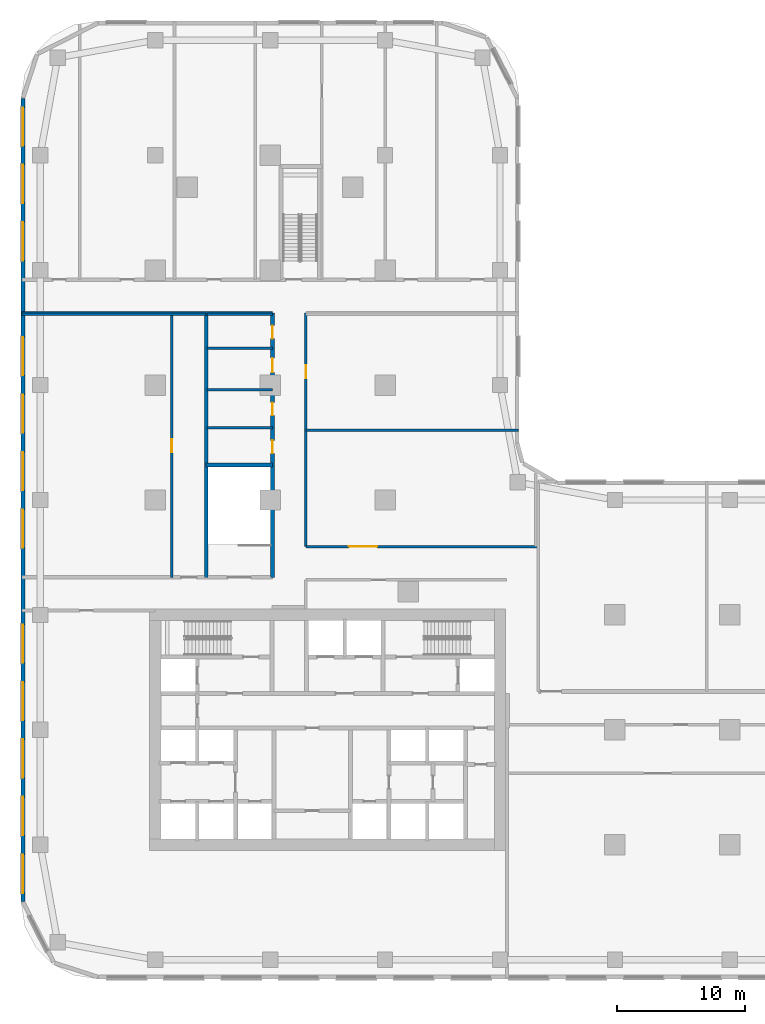
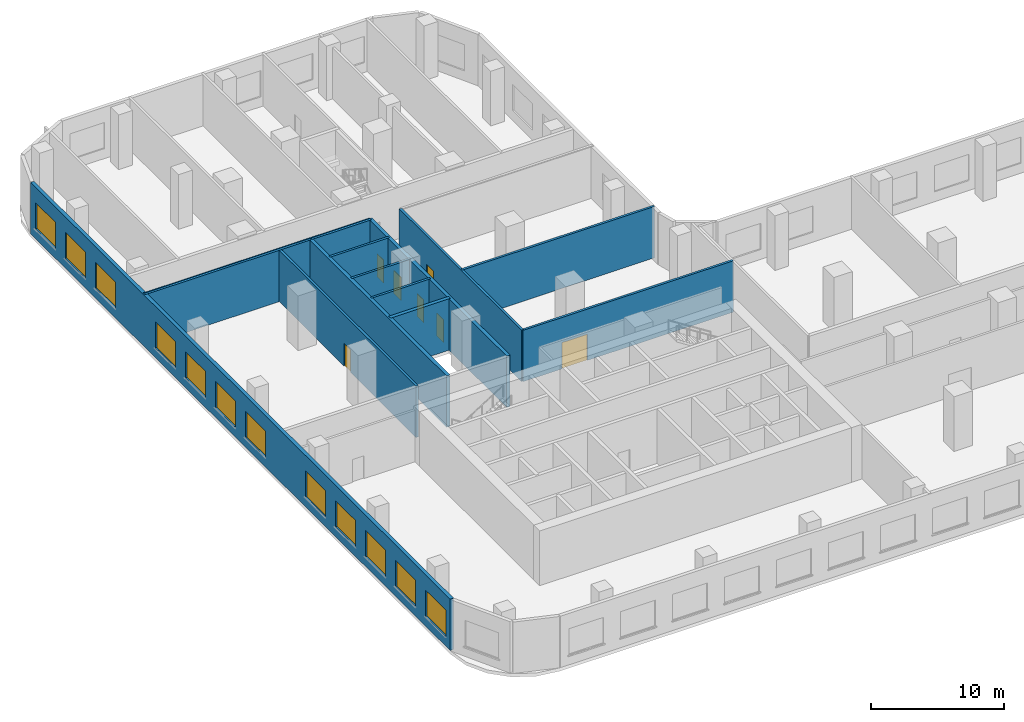
# One storey, part 9 of 33: 14 walls, 12 windows, 7 doors, 19 openings.
"""IFC4 building model written with IfcOpenShell, lengths in metres."""

import ifcopenshell
import ifcopenshell.guid

model = None  # the IFC model being written
_history = None  # IfcOwnerHistory: only IFC2X3 demands one
_inside = {}  # id of a spatial element -> (the spatial element, [elements in it])
_under = {}  # id of a project, library or spatial element -> (it, [spatial elements below it])
_declared = {}  # id of a project -> (the project, [libraries it declares])
_typed = {}  # id of a type object -> (the type object, [elements of that type])
_made_of = {}  # id of a material, layer set ... -> (it, [elements and type objects made of it])


def new_model(schema):
    """Start an empty IFC model of exactly this schema.

    Asked for "IFC4X3", IfcOpenShell would pick the latest addendum, in which some entities
    have other attributes; the version numbers below select the first issue.
    IFC2X3 requires an IfcOwnerHistory on every rooted entity: one is made here for all.
    """
    global model, _history
    if schema == "IFC4X3":
        model = ifcopenshell.file(schema_version=(4, 3, 0, 0))
    else:
        model = ifcopenshell.file(schema=schema)
    _inside.clear()
    _under.clear()
    _declared.clear()
    _typed.clear()
    _made_of.clear()
    _history = None
    if model.schema == "IFC2X3":
        org = make("IfcOrganization", Name="unknown")
        user = make(
            "IfcPersonAndOrganization",
            ThePerson=make("IfcPerson", FamilyName="unknown"),
            TheOrganization=org,
        )
        app = make(
            "IfcApplication",
            ApplicationDeveloper=org,
            Version="unknown",
            ApplicationFullName="unknown",
            ApplicationIdentifier="unknown",
        )
        _history = make(
            "IfcOwnerHistory",
            OwningUser=user,
            OwningApplication=app,
            ChangeAction="ADDED",
            CreationDate=0,
        )
    return model


def make(cls, **values):
    """One entity of the class cls with the attributes given. An attribute that is None is left unset."""
    return model.create_entity(
        cls, **{name: value for name, value in values.items() if value is not None}
    )


def rooted(cls, **values):
    """An entity with a GlobalId (a new one), such as an element, a storey or a relation."""
    return make(cls, GlobalId=ifcopenshell.guid.new(), OwnerHistory=_history, **values)


def si_unit(unit_type, name, prefix=None):
    """IfcSIUnit, for example si_unit("LENGTHUNIT", "METRE", prefix="MILLI")."""
    return make("IfcSIUnit", UnitType=unit_type, Prefix=prefix, Name=name)


def assignment(units):
    """IfcUnitAssignment: the units of a project."""
    return None if units is None else make("IfcUnitAssignment", Units=units)


def point(xyz):
    """IfcCartesianPoint."""
    return None if xyz is None else make("IfcCartesianPoint", Coordinates=xyz)


def direction(xyz):
    """IfcDirection."""
    return None if xyz is None else make("IfcDirection", DirectionRatios=xyz)


def frame(location, z_axis=None, x_axis=None):
    """IfcAxis2Placement3D, a coordinate frame: its origin and axes. An axis left out is left unset."""
    return make(
        "IfcAxis2Placement3D",
        Location=point(location),
        Axis=direction(z_axis),
        RefDirection=direction(x_axis),
    )


def frame_2d(location, x_axis=None):
    """IfcAxis2Placement2D, a coordinate frame in the plane: its origin and x axis."""
    return make(
        "IfcAxis2Placement2D", Location=point(location), RefDirection=direction(x_axis)
    )


def origin():
    """The frame at (0, 0, 0) with its axes left unset."""
    return frame((0.0, 0.0, 0.0))


def place(relative_to, where):
    """IfcLocalPlacement: puts the frame where relative to a parent placement (None: the world)."""
    return make(
        "IfcLocalPlacement", PlacementRelTo=relative_to, RelativePlacement=where
    )


def context(
    kind, dimensions, precision=None, world=None, true_north=None, identifier=None
):
    """IfcGeometricRepresentationContext, for example the 3D "Model" context."""
    return make(
        "IfcGeometricRepresentationContext",
        ContextIdentifier=identifier,
        ContextType=kind,
        CoordinateSpaceDimension=dimensions,
        Precision=precision,
        WorldCoordinateSystem=world,
        TrueNorth=true_north,
    )


def subcontext(parent, identifier, kind, view, scale=None):
    """IfcGeometricRepresentationSubContext, for example "Body" below "Model"."""
    return make(
        "IfcGeometricRepresentationSubContext",
        ContextIdentifier=identifier,
        ContextType=kind,
        ParentContext=parent,
        TargetScale=scale,
        TargetView=view,
    )


def project(units=None, contexts=None):
    """IfcProject with its units and contexts."""
    return rooted(
        "IfcProject",
        Name="project",
        RepresentationContexts=contexts,
        UnitsInContext=assignment(units),
    )


def spatial(cls, under=None, at=None, **own):
    """A site, building, storey or space (cls), placed at a placement, below another one or the project."""
    s = rooted(cls, ObjectPlacement=at, **own)
    if under is not None:
        _under.setdefault(under.id(), (under, []))[1].append(s)
    return s


def profile(cls, at=None, kind="AREA", **sizes):
    """A parametric profile (cls). Its sizes go by their IFC names, for example OverallWidth=200.0."""
    return make(cls, ProfileType=kind, Position=at, **sizes)


def rectangle(**sizes):
    """IfcRectangleProfileDef."""
    return profile("IfcRectangleProfileDef", **sizes)


def extrude(swept, where, along, depth):
    """IfcExtrudedAreaSolid: the profile swept, set in the frame where, extruded along a direction by depth."""
    return make(
        "IfcExtrudedAreaSolid",
        SweptArea=swept,
        Position=where,
        ExtrudedDirection=direction(along),
        Depth=depth,
    )


def shape(context_of_items, identifier, shape_type, items):
    """IfcShapeRepresentation: the items that make up one representation, for example the "Body"."""
    return make(
        "IfcShapeRepresentation",
        ContextOfItems=context_of_items,
        RepresentationIdentifier=identifier,
        RepresentationType=shape_type,
        Items=items,
    )


def material(Name=None, Category=None):
    """IfcMaterial."""
    return make("IfcMaterial", Name=Name, Category=Category)


def layer(
    of_material, thickness, ventilated=None, Name=None, Category=None, Priority=None
):
    """IfcMaterialLayer: one layer of a wall or slab, of a material (None: an air gap)."""
    return make(
        "IfcMaterialLayer",
        Material=of_material,
        LayerThickness=thickness,
        IsVentilated=ventilated,
        Name=Name,
        Category=Category,
        Priority=Priority,
    )


def layer_set(layers, Name=None):
    """IfcMaterialLayerSet."""
    return make("IfcMaterialLayerSet", MaterialLayers=layers, LayerSetName=Name)


def made_of(thing, what):
    """Note that an element or type object is made of a material, layer set ...; save() writes the relation."""
    if what is not None:
        _made_of.setdefault(what.id(), (what, []))[1].append(thing)
    return thing


def type_object(cls, material=None, **own):
    """A type object (cls), such as IfcWallType, which elements share."""
    return made_of(rooted(cls, **own), material)


def element(
    cls,
    number,
    at=None,
    inside=None,
    cuts=None,
    type_object=None,
    material=None,
    context=None,
    identifier="Body",
    shape_type=None,
    held_by="IfcProductDefinitionShape",
    body=None,
    shapes=None,
    **own,
):
    """One element of the class cls, such as IfcWall. Its Tag is "e" and its number.

    at: its placement. inside: the storey or other place that contains it. cuts: it is an
    opening in that element (IfcRelVoidsElement). A single representation is given by context,
    identifier, shape_type and body (its items); several are given by shapes. held_by: the class
    of the entity that holds the representations. save() writes the other relations.
    """
    e = rooted(cls, Tag="e%d" % number, ObjectPlacement=at, **own)
    if body is not None:
        shapes = [shape(context, identifier, shape_type, body)]
    if shapes is not None:
        e.Representation = make(held_by, Representations=shapes)
    if inside is not None:
        _inside.setdefault(inside.id(), (inside, []))[1].append(e)
    if cuts is not None:
        rooted(
            "IfcRelVoidsElement", RelatingBuildingElement=cuts, RelatedOpeningElement=e
        )
    if type_object is not None:
        _typed.setdefault(type_object.id(), (type_object, []))[1].append(e)
    return made_of(e, material)


def fill(opening, filler):
    """IfcRelFillsElement: the door or window that sits in an opening."""
    return rooted(
        "IfcRelFillsElement",
        RelatingOpeningElement=opening,
        RelatedBuildingElement=filler,
    )


def aggregate(whole, parts):
    """IfcRelAggregates: a whole, such as a stair, and the parts it consists of."""
    return rooted("IfcRelAggregates", RelatingObject=whole, RelatedObjects=parts)


def save(model, path):
    """Write the relations noted so far, then the file.

    IfcRelAggregates (storeys below a building ...), IfcRelContainedInSpatialStructure (elements
    in a storey), IfcRelDefinesByType, IfcRelAssociatesMaterial and IfcRelDeclares: one each for
    every whole, place, type object, material and project.
    """
    for whole, parts in _under.values():
        aggregate(whole, parts)
    for where, things in _inside.values():
        rooted(
            "IfcRelContainedInSpatialStructure",
            RelatedElements=things,
            RelatingStructure=where,
        )
    for kind, things in _typed.values():
        rooted("IfcRelDefinesByType", RelatedObjects=things, RelatingType=kind)
    for what, things in _made_of.values():
        rooted("IfcRelAssociatesMaterial", RelatedObjects=things, RelatingMaterial=what)
    for by, libraries in _declared.values():
        rooted("IfcRelDeclares", RelatingContext=by, RelatedDefinitions=libraries)
    model.write(path)


model = new_model("IFC4")

# Units and contexts
model_context = context("Model", 3, precision=1e-05, world=origin(), true_north=direction((0.0, 1.0)))
body_context = subcontext(model_context, "Body", "Model", "MODEL_VIEW")
ifc_project = project(units=[si_unit("LENGTHUNIT", "METRE"), si_unit("AREAUNIT", "SQUARE_METRE"), si_unit("VOLUMEUNIT", "CUBIC_METRE"), si_unit("PLANEANGLEUNIT", "RADIAN"), si_unit("MASSUNIT", "GRAM", prefix="KILO")], contexts=[model_context])

# Site, building, storey
site_placement = place(None, origin())
site = spatial("IfcSite", under=ifc_project, at=site_placement, CompositionType="ELEMENT")
building_placement = place(site_placement, origin())
building = spatial("IfcBuilding", under=site, at=building_placement, Name="Ogive Portal Towers", CompositionType="ELEMENT")
storey_placement = place(building_placement, frame((0.0, 0.0, 28.5)))
storey = spatial("IfcBuildingStorey", under=building, at=storey_placement, Name="L05", CompositionType="ELEMENT", Elevation=28.5)

# Wall, openings, windows
ifc_material_1 = material(Name="Limestone cladding on lightweight block wall", Category="masonry")
ifc_layer_1 = layer(ifc_material_1, 0.300048828125)
ifc_layer_set_1 = layer_set([ifc_layer_1], Name="EXTERNAL WALL 300 STONE")
wall_type_1 = type_object("IfcWallType", Name="EXTERNAL WALL 300 STONE", PredefinedType="SOLIDWALL", material=ifc_layer_set_1)
wall_1_placement = place(storey_placement, frame((21.14990234375, 79.952392578125, 0.0), z_axis=(0.0, 0.0, 1.0), x_axis=(0.0, -1.0, 0.0)))
wall_1 = element("IfcWall", 1, at=wall_1_placement, inside=storey, type_object=wall_type_1, Name="A:L05:f17:w0", PredefinedType="SOLIDWALL", context=body_context, shape_type="SweptSolid", body=[
    extrude(rectangle(XDim=62.88037109375, YDim=0.300048828125, at=frame_2d((31.440185546875, 0.0))), origin(), (0.0, 0.0, 1.0), 4.699951171875),
])
opening_1_placement = place(wall_1_placement, frame((0.726318359375, 0.0, 0.89990234375)))
opening_1 = element("IfcOpeningElement", 2, at=opening_1_placement, cuts=wall_1, Name="Opening WN3", PredefinedType="OPENING", context=body_context, shape_type="SweptSolid", body=[
    extrude(rectangle(XDim=3.0, YDim=2.39990234375, at=frame_2d((1.5, 1.199951171875))), frame((0.0, 0.16015625, 0.0), z_axis=(0.0, -1.0, 0.0), x_axis=(1.0, 0.0, 0.0)), (0.0, 0.0, 1.0), 0.320068359375),
])
opening_2_placement = place(wall_1_placement, frame((5.202392578125, 0.0, 0.89990234375)))
opening_2 = element("IfcOpeningElement", 3, at=opening_2_placement, cuts=wall_1, Name="Opening WN3", PredefinedType="OPENING", context=body_context, shape_type="SweptSolid", body=[
    extrude(rectangle(XDim=3.0, YDim=2.39990234375, at=frame_2d((1.5, 1.199951171875))), frame((0.0, 0.16015625, 0.0), z_axis=(0.0, -1.0, 0.0), x_axis=(1.0, 0.0, 0.0)), (0.0, 0.0, 1.0), 0.320068359375),
])
opening_3_placement = place(wall_1_placement, frame((9.702392578125, 0.0, 0.89990234375)))
opening_3 = element("IfcOpeningElement", 4, at=opening_3_placement, cuts=wall_1, Name="Opening WN3", PredefinedType="OPENING", context=body_context, shape_type="SweptSolid", body=[
    extrude(rectangle(XDim=3.0, YDim=2.39990234375, at=frame_2d((1.5, 1.199951171875))), frame((0.0, 0.16015625, 0.0), z_axis=(0.0, -1.0, 0.0), x_axis=(1.0, 0.0, 0.0)), (0.0, 0.0, 1.0), 0.320068359375),
])
opening_4_placement = place(wall_1_placement, frame((18.702392578125, 0.0, 0.89990234375)))
opening_4 = element("IfcOpeningElement", 5, at=opening_4_placement, cuts=wall_1, Name="Opening WN3", PredefinedType="OPENING", context=body_context, shape_type="SweptSolid", body=[
    extrude(rectangle(XDim=3.0, YDim=2.39990234375, at=frame_2d((1.5, 1.199951171875))), frame((0.0, 0.16015625, 0.0), z_axis=(0.0, -1.0, 0.0), x_axis=(1.0, 0.0, 0.0)), (0.0, 0.0, 1.0), 0.320068359375),
])
opening_5_placement = place(wall_1_placement, frame((23.202392578125, 0.0, 0.89990234375)))
opening_5 = element("IfcOpeningElement", 6, at=opening_5_placement, cuts=wall_1, Name="Opening WN3", PredefinedType="OPENING", context=body_context, shape_type="SweptSolid", body=[
    extrude(rectangle(XDim=3.0, YDim=2.39990234375, at=frame_2d((1.5, 1.199951171875))), frame((0.0, 0.16015625, 0.0), z_axis=(0.0, -1.0, 0.0), x_axis=(1.0, 0.0, 0.0)), (0.0, 0.0, 1.0), 0.320068359375),
])
opening_6_placement = place(wall_1_placement, frame((27.702392578125, 0.0, 0.89990234375)))
opening_6 = element("IfcOpeningElement", 7, at=opening_6_placement, cuts=wall_1, Name="Opening WN3", PredefinedType="OPENING", context=body_context, shape_type="SweptSolid", body=[
    extrude(rectangle(XDim=3.0, YDim=2.39990234375, at=frame_2d((1.5, 1.199951171875))), frame((0.0, 0.16015625, 0.0), z_axis=(0.0, -1.0, 0.0), x_axis=(1.0, 0.0, 0.0)), (0.0, 0.0, 1.0), 0.320068359375),
])
opening_7_placement = place(wall_1_placement, frame((32.202392578125, 0.0, 0.89990234375)))
opening_7 = element("IfcOpeningElement", 8, at=opening_7_placement, cuts=wall_1, Name="Opening WN3", PredefinedType="OPENING", context=body_context, shape_type="SweptSolid", body=[
    extrude(rectangle(XDim=3.0, YDim=2.39990234375, at=frame_2d((1.5, 1.199951171875))), frame((0.0, 0.16015625, 0.0), z_axis=(0.0, -1.0, 0.0), x_axis=(1.0, 0.0, 0.0)), (0.0, 0.0, 1.0), 0.320068359375),
])
opening_8_placement = place(wall_1_placement, frame((41.202392578125, 0.0, 0.89990234375)))
opening_8 = element("IfcOpeningElement", 9, at=opening_8_placement, cuts=wall_1, Name="Opening WN3", PredefinedType="OPENING", context=body_context, shape_type="SweptSolid", body=[
    extrude(rectangle(XDim=3.0, YDim=2.39990234375, at=frame_2d((1.5, 1.199951171875))), frame((0.0, 0.16015625, 0.0), z_axis=(0.0, -1.0, 0.0), x_axis=(1.0, 0.0, 0.0)), (0.0, 0.0, 1.0), 0.320068359375),
])
opening_9_placement = place(wall_1_placement, frame((45.702392578125, 0.0, 0.89990234375)))
opening_9 = element("IfcOpeningElement", 10, at=opening_9_placement, cuts=wall_1, Name="Opening WN3", PredefinedType="OPENING", context=body_context, shape_type="SweptSolid", body=[
    extrude(rectangle(XDim=3.0, YDim=2.39990234375, at=frame_2d((1.5, 1.199951171875))), frame((0.0, 0.16015625, 0.0), z_axis=(0.0, -1.0, 0.0), x_axis=(1.0, 0.0, 0.0)), (0.0, 0.0, 1.0), 0.320068359375),
])
opening_10_placement = place(wall_1_placement, frame((50.202392578125, 0.0, 0.89990234375)))
opening_10 = element("IfcOpeningElement", 11, at=opening_10_placement, cuts=wall_1, Name="Opening WN3", PredefinedType="OPENING", context=body_context, shape_type="SweptSolid", body=[
    extrude(rectangle(XDim=3.0, YDim=2.39990234375, at=frame_2d((1.5, 1.199951171875))), frame((0.0, 0.16015625, 0.0), z_axis=(0.0, -1.0, 0.0), x_axis=(1.0, 0.0, 0.0)), (0.0, 0.0, 1.0), 0.320068359375),
])
opening_11_placement = place(wall_1_placement, frame((54.702392578125, 0.0, 0.89990234375)))
opening_11 = element("IfcOpeningElement", 12, at=opening_11_placement, cuts=wall_1, Name="Opening WN3", PredefinedType="OPENING", context=body_context, shape_type="SweptSolid", body=[
    extrude(rectangle(XDim=3.0, YDim=2.39990234375, at=frame_2d((1.5, 1.199951171875))), frame((0.0, 0.16015625, 0.0), z_axis=(0.0, -1.0, 0.0), x_axis=(1.0, 0.0, 0.0)), (0.0, 0.0, 1.0), 0.320068359375),
])
opening_12_placement = place(wall_1_placement, frame((59.226318359375, 0.0, 0.89990234375)))
opening_12 = element("IfcOpeningElement", 13, at=opening_12_placement, cuts=wall_1, Name="Opening WN3", PredefinedType="OPENING", context=body_context, shape_type="SweptSolid", body=[
    extrude(rectangle(XDim=3.0, YDim=2.39990234375, at=frame_2d((1.5, 1.199951171875))), frame((0.0, 0.16015625, 0.0), z_axis=(0.0, -1.0, 0.0), x_axis=(1.0, 0.0, 0.0)), (0.0, 0.0, 1.0), 0.320068359375),
])
ifc_material_2 = material(Name="Glass, clear low-iron insulated glazing", Category="glass")
window_type = type_object("IfcWindowType", Name="WINDOW PODIUM 3000x2400", PartitioningType="SINGLE_PANEL", PredefinedType="WINDOW", material=ifc_material_2)
window_1_placement = place(opening_1_placement, origin())
window_1 = element("IfcWindow", 14, at=window_1_placement, inside=storey, type_object=window_type, Name="A:L05:f17:w0:o0", OverallHeight=2.39990234375, OverallWidth=3.0, PartitioningType="SINGLE_PANEL", PredefinedType="WINDOW", context=body_context, shape_type="SweptSolid", body=[
    extrude(rectangle(XDim=3.0, YDim=2.39990234375, at=frame_2d((1.5, 1.199951171875))), frame((0.0, 0.030029296875, 0.0), z_axis=(0.0, -1.0, 0.0), x_axis=(1.0, 0.0, 0.0)), (0.0, 0.0, 1.0), 0.06005859375),
])
fill(opening_1, window_1)
window_2_placement = place(opening_2_placement, origin())
window_2 = element("IfcWindow", 15, at=window_2_placement, inside=storey, type_object=window_type, Name="A:L05:f17:w0:o1a", OverallHeight=2.39990234375, OverallWidth=3.0, PartitioningType="SINGLE_PANEL", PredefinedType="WINDOW", context=body_context, shape_type="SweptSolid", body=[
    extrude(rectangle(XDim=3.0, YDim=2.39990234375, at=frame_2d((1.5, 1.199951171875))), frame((0.0, 0.030029296875, 0.0), z_axis=(0.0, -1.0, 0.0), x_axis=(1.0, 0.0, 0.0)), (0.0, 0.0, 1.0), 0.06005859375),
])
fill(opening_2, window_2)
window_3_placement = place(opening_3_placement, origin())
window_3 = element("IfcWindow", 16, at=window_3_placement, inside=storey, type_object=window_type, Name="A:L05:f17:w0:o1b", OverallHeight=2.39990234375, OverallWidth=3.0, PartitioningType="SINGLE_PANEL", PredefinedType="WINDOW", context=body_context, shape_type="SweptSolid", body=[
    extrude(rectangle(XDim=3.0, YDim=2.39990234375, at=frame_2d((1.5, 1.199951171875))), frame((0.0, 0.030029296875, 0.0), z_axis=(0.0, -1.0, 0.0), x_axis=(1.0, 0.0, 0.0)), (0.0, 0.0, 1.0), 0.06005859375),
])
fill(opening_3, window_3)
window_4_placement = place(opening_4_placement, origin())
window_4 = element("IfcWindow", 17, at=window_4_placement, inside=storey, type_object=window_type, Name="A:L05:f17:w0:o2b", OverallHeight=2.39990234375, OverallWidth=3.0, PartitioningType="SINGLE_PANEL", PredefinedType="WINDOW", context=body_context, shape_type="SweptSolid", body=[
    extrude(rectangle(XDim=3.0, YDim=2.39990234375, at=frame_2d((1.5, 1.199951171875))), frame((0.0, 0.030029296875, 0.0), z_axis=(0.0, -1.0, 0.0), x_axis=(1.0, 0.0, 0.0)), (0.0, 0.0, 1.0), 0.06005859375),
])
fill(opening_4, window_4)
window_5_placement = place(opening_5_placement, origin())
window_5 = element("IfcWindow", 18, at=window_5_placement, inside=storey, type_object=window_type, Name="A:L05:f17:w0:o3a", OverallHeight=2.39990234375, OverallWidth=3.0, PartitioningType="SINGLE_PANEL", PredefinedType="WINDOW", context=body_context, shape_type="SweptSolid", body=[
    extrude(rectangle(XDim=3.0, YDim=2.39990234375, at=frame_2d((1.5, 1.199951171875))), frame((0.0, 0.030029296875, 0.0), z_axis=(0.0, -1.0, 0.0), x_axis=(1.0, 0.0, 0.0)), (0.0, 0.0, 1.0), 0.06005859375),
])
fill(opening_5, window_5)
window_6_placement = place(opening_6_placement, origin())
window_6 = element("IfcWindow", 19, at=window_6_placement, inside=storey, type_object=window_type, Name="A:L05:f17:w0:o3b", OverallHeight=2.39990234375, OverallWidth=3.0, PartitioningType="SINGLE_PANEL", PredefinedType="WINDOW", context=body_context, shape_type="SweptSolid", body=[
    extrude(rectangle(XDim=3.0, YDim=2.39990234375, at=frame_2d((1.5, 1.199951171875))), frame((0.0, 0.030029296875, 0.0), z_axis=(0.0, -1.0, 0.0), x_axis=(1.0, 0.0, 0.0)), (0.0, 0.0, 1.0), 0.06005859375),
])
fill(opening_6, window_6)
window_7_placement = place(opening_7_placement, origin())
window_7 = element("IfcWindow", 20, at=window_7_placement, inside=storey, type_object=window_type, Name="A:L05:f17:w0:o4a", OverallHeight=2.39990234375, OverallWidth=3.0, PartitioningType="SINGLE_PANEL", PredefinedType="WINDOW", context=body_context, shape_type="SweptSolid", body=[
    extrude(rectangle(XDim=3.0, YDim=2.39990234375, at=frame_2d((1.5, 1.199951171875))), frame((0.0, 0.030029296875, 0.0), z_axis=(0.0, -1.0, 0.0), x_axis=(1.0, 0.0, 0.0)), (0.0, 0.0, 1.0), 0.06005859375),
])
fill(opening_7, window_7)
window_8_placement = place(opening_8_placement, origin())
window_8 = element("IfcWindow", 21, at=window_8_placement, inside=storey, type_object=window_type, Name="A:L05:f17:w0:o5a", OverallHeight=2.39990234375, OverallWidth=3.0, PartitioningType="SINGLE_PANEL", PredefinedType="WINDOW", context=body_context, shape_type="SweptSolid", body=[
    extrude(rectangle(XDim=3.0, YDim=2.39990234375, at=frame_2d((1.5, 1.199951171875))), frame((0.0, 0.030029296875, 0.0), z_axis=(0.0, -1.0, 0.0), x_axis=(1.0, 0.0, 0.0)), (0.0, 0.0, 1.0), 0.06005859375),
])
fill(opening_8, window_8)
window_9_placement = place(opening_9_placement, origin())
window_9 = element("IfcWindow", 22, at=window_9_placement, inside=storey, type_object=window_type, Name="A:L05:f17:w0:o5b", OverallHeight=2.39990234375, OverallWidth=3.0, PartitioningType="SINGLE_PANEL", PredefinedType="WINDOW", context=body_context, shape_type="SweptSolid", body=[
    extrude(rectangle(XDim=3.0, YDim=2.39990234375, at=frame_2d((1.5, 1.199951171875))), frame((0.0, 0.030029296875, 0.0), z_axis=(0.0, -1.0, 0.0), x_axis=(1.0, 0.0, 0.0)), (0.0, 0.0, 1.0), 0.06005859375),
])
fill(opening_9, window_9)
window_10_placement = place(opening_10_placement, origin())
window_10 = element("IfcWindow", 23, at=window_10_placement, inside=storey, type_object=window_type, Name="A:L05:f17:w0:o6a", OverallHeight=2.39990234375, OverallWidth=3.0, PartitioningType="SINGLE_PANEL", PredefinedType="WINDOW", context=body_context, shape_type="SweptSolid", body=[
    extrude(rectangle(XDim=3.0, YDim=2.39990234375, at=frame_2d((1.5, 1.199951171875))), frame((0.0, 0.030029296875, 0.0), z_axis=(0.0, -1.0, 0.0), x_axis=(1.0, 0.0, 0.0)), (0.0, 0.0, 1.0), 0.06005859375),
])
fill(opening_10, window_10)
window_11_placement = place(opening_11_placement, origin())
window_11 = element("IfcWindow", 24, at=window_11_placement, inside=storey, type_object=window_type, Name="A:L05:f17:w0:o6b", OverallHeight=2.39990234375, OverallWidth=3.0, PartitioningType="SINGLE_PANEL", PredefinedType="WINDOW", context=body_context, shape_type="SweptSolid", body=[
    extrude(rectangle(XDim=3.0, YDim=2.39990234375, at=frame_2d((1.5, 1.199951171875))), frame((0.0, 0.030029296875, 0.0), z_axis=(0.0, -1.0, 0.0), x_axis=(1.0, 0.0, 0.0)), (0.0, 0.0, 1.0), 0.06005859375),
])
fill(opening_11, window_11)
window_12_placement = place(opening_12_placement, origin())
window_12 = element("IfcWindow", 25, at=window_12_placement, inside=storey, type_object=window_type, Name="A:L05:f17:w0:o7", OverallHeight=2.39990234375, OverallWidth=3.0, PartitioningType="SINGLE_PANEL", PredefinedType="WINDOW", context=body_context, shape_type="SweptSolid", body=[
    extrude(rectangle(XDim=3.0, YDim=2.39990234375, at=frame_2d((1.5, 1.199951171875))), frame((0.0, 0.030029296875, 0.0), z_axis=(0.0, -1.0, 0.0), x_axis=(1.0, 0.0, 0.0)), (0.0, 0.0, 1.0), 0.06005859375),
])
fill(opening_12, window_12)

# Wall, opening, door
ifc_material_3 = material(Name="Gypsum board partition on steel studs", Category="steel")
ifc_layer_2 = layer(ifc_material_3, 0.199951171875)
ifc_layer_set_2 = layer_set([ifc_layer_2], Name="WT-PART-200-EI 60")
wall_type_2 = type_object("IfcWallType", Name="WT-PART-200-EI 60", PredefinedType="PARTITIONING", material=ifc_layer_set_2)
wall_2_placement = place(storey_placement, frame((43.300048828125, 44.85009765625, 0.0), z_axis=(0.0, 0.0, 1.0), x_axis=(1.0, 0.0, 0.0)))
wall_2 = element("IfcWall", 26, at=wall_2_placement, inside=storey, type_object=wall_type_2, Name="Wall L05:w040", PredefinedType="PARTITIONING", context=body_context, shape_type="SweptSolid", body=[
    extrude(rectangle(XDim=18.199951171875, YDim=0.199951171875, at=frame_2d((9.10009765625, 0.0))), origin(), (0.0, 0.0, 1.0), 4.699951171875),
])
opening_13_placement = place(wall_2_placement, frame((3.376953125, 0.0, 0.0)))
opening_13 = element("IfcOpeningElement", 27, at=opening_13_placement, cuts=wall_2, Name="Opening P05-024", PredefinedType="OPENING", context=body_context, shape_type="SweptSolid", body=[
    extrude(rectangle(XDim=2.199951171875, YDim=2.39990234375, at=frame_2d((1.10009765625, 1.199951171875))), frame((0.0, 0.10986328125, 0.0), z_axis=(0.0, -1.0, 0.0), x_axis=(1.0, 0.0, 0.0)), (0.0, 0.0, 1.0), 0.219970703125),
])
ifc_material_4 = material(Name="Steel fire door", Category="steel")
door_type_1 = type_object("IfcDoorType", Name="DT-PLANT-2200x2400-FD60S", OperationType="SINGLE_SWING_LEFT", PredefinedType="DOOR", material=ifc_material_4)
door_1_placement = place(opening_13_placement, origin())
door_1 = element("IfcDoor", 28, at=door_1_placement, inside=storey, type_object=door_type_1, Name="Door P05-024", OperationType="SINGLE_SWING_RIGHT", OverallHeight=2.39990234375, OverallWidth=2.199951171875, PredefinedType="DOOR", context=body_context, shape_type="SweptSolid", body=[
    extrude(rectangle(XDim=2.199951171875, YDim=2.39990234375, at=frame_2d((1.10009765625, 1.199951171875))), frame((0.0, 0.02490234375, 0.0), z_axis=(0.0, -1.0, 0.0), x_axis=(1.0, 0.0, 0.0)), (0.0, 0.0, 1.0), 0.050048828125),
])
fill(opening_13, door_1)

# Walls
wall_3_placement = place(storey_placement, frame((43.300048828125, 53.949951171875, 0.0), z_axis=(0.0, 0.0, 1.0), x_axis=(1.0, 0.0, 0.0)))
element("IfcWall", 29, at=wall_3_placement, inside=storey, type_object=wall_type_2, Name="Wall L05:w043", PredefinedType="PARTITIONING", context=body_context, shape_type="SweptSolid", body=[
    extrude(rectangle(XDim=16.6298828125, YDim=0.199951171875, at=frame_2d((8.31494140625, 0.0))), origin(), (0.0, 0.0, 1.0), 4.699951171875),
])
for number, where, z_axis, x_axis, name in (
    (30, (35.550048828125, 54.162109375, 0.0), (0.0, 0.0, 1.0), (1.0, 0.0, 0.0), "Wall L05:w044"),
    (31, (35.550048828125, 57.125, 0.0), (0.0, 0.0, 1.0), (1.0, 0.0, 0.0), "Wall L05:w045"),
    (32, (35.550048828125, 60.364013671875, 0.0), (0.0, 0.0, 1.0), (1.0, 0.0, 0.0), "Wall L05:w046"),
):
    element("IfcWall", number, at=place(storey_placement, frame(where, z_axis=z_axis, x_axis=x_axis)), inside=storey, type_object=wall_type_2, Name=name, PredefinedType="PARTITIONING", context=body_context, shape_type="SweptSolid", body=[
        extrude(rectangle(XDim=5.14990234375, YDim=0.199951171875, at=frame_2d((2.574951171875, 0.0))), origin(), (0.0, 0.0, 1.0), 4.699951171875),
    ])
wall_4_placement = place(storey_placement, frame((21.070068359375, 63.050048828125, 0.0), z_axis=(0.0, 0.0, 1.0), x_axis=(1.0, 0.0, 0.0)))
element("IfcWall", 33, at=wall_4_placement, inside=storey, type_object=wall_type_2, Name="Wall L05:w047", PredefinedType="PARTITIONING", context=body_context, shape_type="SweptSolid", body=[
    extrude(rectangle(XDim=14.429931640625, YDim=0.199951171875, at=frame_2d((7.21484375, 0.0))), origin(), (0.0, 0.0, 1.0), 4.699951171875),
])
wall_5_placement = place(storey_placement, frame((35.550048828125, 63.050048828125, 0.0), z_axis=(0.0, 0.0, 1.0), x_axis=(1.0, 0.0, 0.0)))
element("IfcWall", 34, at=wall_5_placement, inside=storey, type_object=wall_type_2, Name="Wall L05:w048", PredefinedType="PARTITIONING", context=body_context, shape_type="SweptSolid", body=[
    extrude(rectangle(XDim=5.14990234375, YDim=0.199951171875, at=frame_2d((2.574951171875, 0.0))), origin(), (0.0, 0.0, 1.0), 4.699951171875),
])
wall_6_placement = place(storey_placement, frame((21.070068359375, 63.14990234375, 0.0), z_axis=(0.0, 0.0, 1.0), x_axis=(1.0, 0.0, 0.0)))
element("IfcWall", 35, at=wall_6_placement, inside=storey, type_object=wall_type_2, Name="Wall L05:w050", PredefinedType="PARTITIONING", context=body_context, shape_type="SweptSolid", body=[
    extrude(rectangle(XDim=19.6298828125, YDim=0.199951171875, at=frame_2d((9.81494140625, 0.0))), origin(), (0.0, 0.0, 1.0), 4.699951171875),
])

# Wall, opening, door
wall_7_placement = place(storey_placement, frame((32.800048828125, 42.449951171875, 0.0), z_axis=(0.0, 0.0, 1.0), x_axis=(0.0, 1.0, 0.0)))
wall_7 = element("IfcWall", 36, at=wall_7_placement, inside=storey, type_object=wall_type_2, Name="Wall L05:w080", PredefinedType="PARTITIONING", context=body_context, shape_type="SweptSolid", body=[
    extrude(rectangle(XDim=20.60009765625, YDim=0.199951171875, at=frame_2d((10.300048828125, 0.0))), origin(), (0.0, 0.0, 1.0), 4.699951171875),
])
opening_14_placement = place(wall_7_placement, frame((9.800048828125, 0.0, 0.0)))
opening_14 = element("IfcOpeningElement", 37, at=opening_14_placement, cuts=wall_7, Name="Opening P05-019", PredefinedType="OPENING", context=body_context, shape_type="SweptSolid", body=[
    extrude(rectangle(XDim=1.0, YDim=2.10009765625, at=frame_2d((0.5, 1.050048828125))), frame((0.0, 0.10986328125, 0.0), z_axis=(0.0, -1.0, 0.0), x_axis=(1.0, 0.0, 0.0)), (0.0, 0.0, 1.0), 0.219970703125),
])
door_type_2 = type_object("IfcDoorType", Name="DT-SWING-1000x2100-FD60S", OperationType="SINGLE_SWING_LEFT", PredefinedType="DOOR", material=ifc_material_4)
door_2_placement = place(opening_14_placement, origin())
door_2 = element("IfcDoor", 38, at=door_2_placement, inside=storey, type_object=door_type_2, Name="Door P05-019", OperationType="SINGLE_SWING_LEFT", OverallHeight=2.10009765625, OverallWidth=1.0, PredefinedType="DOOR", context=body_context, shape_type="SweptSolid", body=[
    extrude(rectangle(XDim=1.0, YDim=2.10009765625, at=frame_2d((0.5, 1.050048828125))), frame((0.0, 0.02490234375, 0.0), z_axis=(0.0, -1.0, 0.0), x_axis=(1.0, 0.0, 0.0)), (0.0, 0.0, 1.0), 0.050048828125),
])
fill(opening_14, door_2)

wall_8_placement = place(storey_placement, frame((43.300048828125, 44.85009765625, 0.0), z_axis=(0.0, 0.0, 1.0), x_axis=(0.0, 1.0, 0.0)))
wall_8 = element("IfcWall", 39, at=wall_8_placement, inside=storey, type_object=wall_type_2, Name="Wall L05:w087", PredefinedType="PARTITIONING", context=body_context, shape_type="SweptSolid", body=[
    extrude(rectangle(XDim=18.2998046875, YDim=0.199951171875, at=frame_2d((9.14990234375, 0.0))), origin(), (0.0, 0.0, 1.0), 4.699951171875),
])
opening_15_placement = place(wall_8_placement, frame((13.199951171875, 0.0, 0.0)))
opening_15 = element("IfcOpeningElement", 40, at=opening_15_placement, cuts=wall_8, Name="Opening P05-025", PredefinedType="OPENING", context=body_context, shape_type="SweptSolid", body=[
    extrude(rectangle(XDim=1.0, YDim=2.10009765625, at=frame_2d((0.5, 1.050048828125))), frame((0.0, 0.10986328125, 0.0), z_axis=(0.0, -1.0, 0.0), x_axis=(1.0, 0.0, 0.0)), (0.0, 0.0, 1.0), 0.219970703125),
])
door_3_placement = place(opening_15_placement, origin())
door_3 = element("IfcDoor", 41, at=door_3_placement, inside=storey, type_object=door_type_2, Name="Door P05-025", OperationType="SINGLE_SWING_LEFT", OverallHeight=2.10009765625, OverallWidth=1.0, PredefinedType="DOOR", context=body_context, shape_type="SweptSolid", body=[
    extrude(rectangle(XDim=1.0, YDim=2.10009765625, at=frame_2d((0.5, 1.050048828125))), frame((0.0, 0.02490234375, 0.0), z_axis=(0.0, -1.0, 0.0), x_axis=(1.0, 0.0, 0.0)), (0.0, 0.0, 1.0), 0.050048828125),
])
fill(opening_15, door_3)

# Walls
ifc_material_5 = material(Name="Concrete C40/50", Category="concrete")
ifc_layer_3 = layer(ifc_material_5, 0.300048828125)
ifc_layer_set_3 = layer_set([ifc_layer_3], Name="WT-SHAFT-300")
wall_type_3 = type_object("IfcWallType", Name="WT-SHAFT-300", PredefinedType="SOLIDWALL", material=ifc_layer_set_3)
wall_9_placement = place(storey_placement, frame((35.5, 51.25, 0.0), z_axis=(0.0, 0.0, 1.0), x_axis=(1.0, 0.0, 0.0)))
element("IfcWall", 42, at=wall_9_placement, inside=storey, type_object=wall_type_3, Name="Wall L05:w042", PredefinedType="SOLIDWALL", context=body_context, shape_type="SweptSolid", body=[
    extrude(rectangle(XDim=5.199951171875, YDim=0.300048828125, at=frame_2d((2.60009765625, 0.0))), origin(), (0.0, 0.0, 1.0), 4.699951171875),
])
wall_10_placement = place(storey_placement, frame((35.5, 42.449951171875, 0.0), z_axis=(0.0, 0.0, 1.0), x_axis=(0.0, 1.0, 0.0)))
element("IfcWall", 43, at=wall_10_placement, inside=storey, type_object=wall_type_3, Name="Wall L05:w082", PredefinedType="SOLIDWALL", context=body_context, shape_type="SweptSolid", body=[
    extrude(rectangle(XDim=20.60009765625, YDim=0.300048828125, at=frame_2d((10.300048828125, 0.0))), origin(), (0.0, 0.0, 1.0), 4.699951171875),
])

# Wall, openings, doors
wall_11_placement = place(storey_placement, frame((40.699951171875, 42.449951171875, 0.0), z_axis=(0.0, 0.0, 1.0), x_axis=(0.0, 1.0, 0.0)))
wall_11 = element("IfcWall", 44, at=wall_11_placement, inside=storey, type_object=wall_type_3, Name="Wall L05:w084", PredefinedType="SOLIDWALL", context=body_context, shape_type="SweptSolid", body=[
    extrude(rectangle(XDim=20.699951171875, YDim=0.300048828125, at=frame_2d((10.35009765625, 0.0))), origin(), (0.0, 0.0, 1.0), 4.699951171875),
])
opening_16_placement = place(wall_11_placement, frame((9.7099609375, 0.0, 0.0)))
opening_16 = element("IfcOpeningElement", 45, at=opening_16_placement, cuts=wall_11, Name="Opening P05-020", PredefinedType="OPENING", context=body_context, shape_type="SweptSolid", body=[
    extrude(rectangle(XDim=1.0, YDim=2.10009765625, at=frame_2d((0.5, 1.050048828125))), frame((0.0, 0.16015625, 0.0), z_axis=(0.0, -1.0, 0.0), x_axis=(1.0, 0.0, 0.0)), (0.0, 0.0, 1.0), 0.320068359375),
])
opening_17_placement = place(wall_11_placement, frame((12.673095703125, 0.0, 0.0)))
opening_17 = element("IfcOpeningElement", 46, at=opening_17_placement, cuts=wall_11, Name="Opening P05-021", PredefinedType="OPENING", context=body_context, shape_type="SweptSolid", body=[
    extrude(rectangle(XDim=1.0, YDim=2.10009765625, at=frame_2d((0.5, 1.050048828125))), frame((0.0, 0.16015625, 0.0), z_axis=(0.0, -1.0, 0.0), x_axis=(1.0, 0.0, 0.0)), (0.0, 0.0, 1.0), 0.320068359375),
])
opening_18_placement = place(wall_11_placement, frame((16.050048828125, 0.0, 0.0)))
opening_18 = element("IfcOpeningElement", 47, at=opening_18_placement, cuts=wall_11, Name="Opening P05-022", PredefinedType="OPENING", context=body_context, shape_type="SweptSolid", body=[
    extrude(rectangle(XDim=1.10009765625, YDim=2.10009765625, at=frame_2d((0.550048828125, 1.050048828125))), frame((0.0, 0.16015625, 0.0), z_axis=(0.0, -1.0, 0.0), x_axis=(1.0, 0.0, 0.0)), (0.0, 0.0, 1.0), 0.320068359375),
])
opening_19_placement = place(wall_11_placement, frame((18.694091796875, 0.0, 0.0)))
opening_19 = element("IfcOpeningElement", 48, at=opening_19_placement, cuts=wall_11, Name="Opening P05-023", PredefinedType="OPENING", context=body_context, shape_type="SweptSolid", body=[
    extrude(rectangle(XDim=1.0, YDim=2.10009765625, at=frame_2d((0.5, 1.050048828125))), frame((0.0, 0.16015625, 0.0), z_axis=(0.0, -1.0, 0.0), x_axis=(1.0, 0.0, 0.0)), (0.0, 0.0, 1.0), 0.320068359375),
])
door_type_3 = type_object("IfcDoorType", Name="DT-ACCESS-1100x2100-FD90S", OperationType="SINGLE_SWING_LEFT", PredefinedType="DOOR", material=ifc_material_4)
door_4_placement = place(opening_18_placement, origin())
door_4 = element("IfcDoor", 49, at=door_4_placement, inside=storey, type_object=door_type_3, Name="Door P05-022", OperationType="SINGLE_SWING_RIGHT", OverallHeight=2.10009765625, OverallWidth=1.10009765625, PredefinedType="DOOR", context=body_context, shape_type="SweptSolid", body=[
    extrude(rectangle(XDim=1.10009765625, YDim=2.10009765625, at=frame_2d((0.550048828125, 1.050048828125))), frame((0.0, 0.02490234375, 0.0), z_axis=(0.0, -1.0, 0.0), x_axis=(1.0, 0.0, 0.0)), (0.0, 0.0, 1.0), 0.050048828125),
])
fill(opening_18, door_4)
door_type_4 = type_object("IfcDoorType", Name="DT-SWING-1000x2100-FD90S", OperationType="SINGLE_SWING_LEFT", PredefinedType="DOOR", material=ifc_material_4)
door_5_placement = place(opening_16_placement, origin())
door_5 = element("IfcDoor", 50, at=door_5_placement, inside=storey, type_object=door_type_4, Name="Door P05-020", OperationType="SINGLE_SWING_RIGHT", OverallHeight=2.10009765625, OverallWidth=1.0, PredefinedType="DOOR", context=body_context, shape_type="SweptSolid", body=[
    extrude(rectangle(XDim=1.0, YDim=2.10009765625, at=frame_2d((0.5, 1.050048828125))), frame((0.0, 0.02490234375, 0.0), z_axis=(0.0, -1.0, 0.0), x_axis=(1.0, 0.0, 0.0)), (0.0, 0.0, 1.0), 0.050048828125),
])
fill(opening_16, door_5)
door_6_placement = place(opening_17_placement, origin())
door_6 = element("IfcDoor", 51, at=door_6_placement, inside=storey, type_object=door_type_4, Name="Door P05-021", OperationType="SINGLE_SWING_LEFT", OverallHeight=2.10009765625, OverallWidth=1.0, PredefinedType="DOOR", context=body_context, shape_type="SweptSolid", body=[
    extrude(rectangle(XDim=1.0, YDim=2.10009765625, at=frame_2d((0.5, 1.050048828125))), frame((0.0, 0.02490234375, 0.0), z_axis=(0.0, -1.0, 0.0), x_axis=(1.0, 0.0, 0.0)), (0.0, 0.0, 1.0), 0.050048828125),
])
fill(opening_17, door_6)
door_7_placement = place(opening_19_placement, origin())
door_7 = element("IfcDoor", 52, at=door_7_placement, inside=storey, type_object=door_type_4, Name="Door P05-023", OperationType="SINGLE_SWING_LEFT", OverallHeight=2.10009765625, OverallWidth=1.0, PredefinedType="DOOR", context=body_context, shape_type="SweptSolid", body=[
    extrude(rectangle(XDim=1.0, YDim=2.10009765625, at=frame_2d((0.5, 1.050048828125))), frame((0.0, 0.02490234375, 0.0), z_axis=(0.0, -1.0, 0.0), x_axis=(1.0, 0.0, 0.0)), (0.0, 0.0, 1.0), 0.050048828125),
])
fill(opening_19, door_7)

save(model, "model.ifc")
